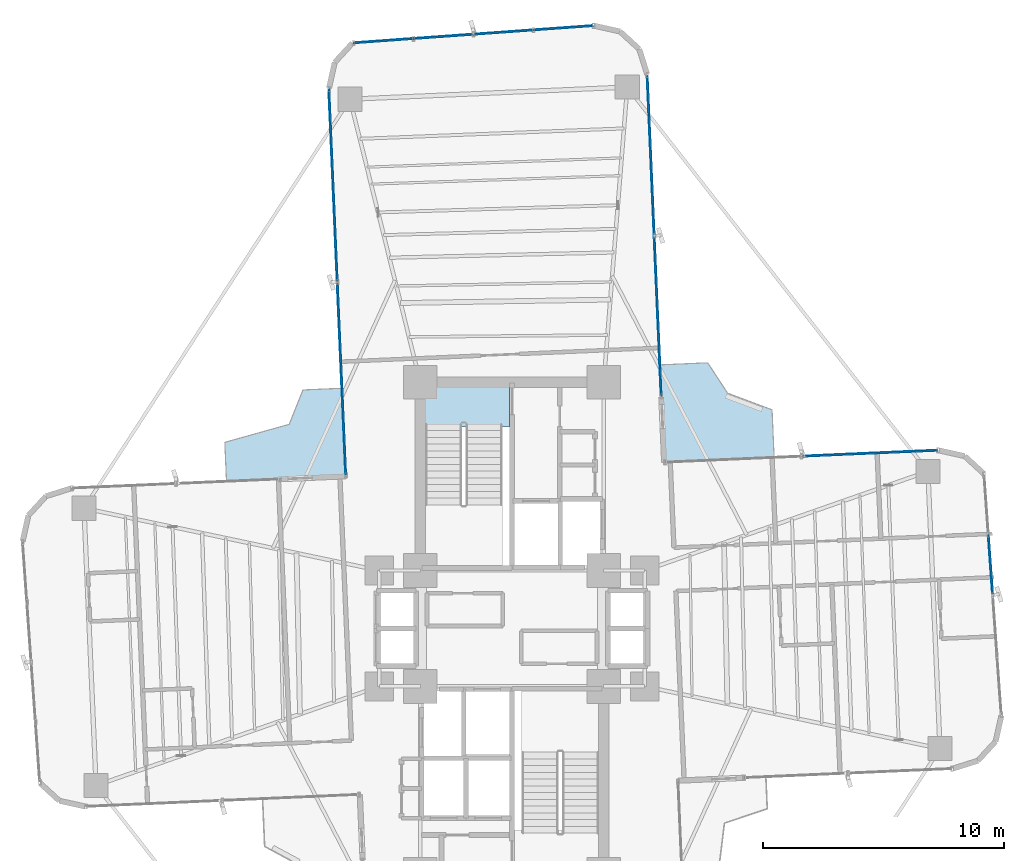
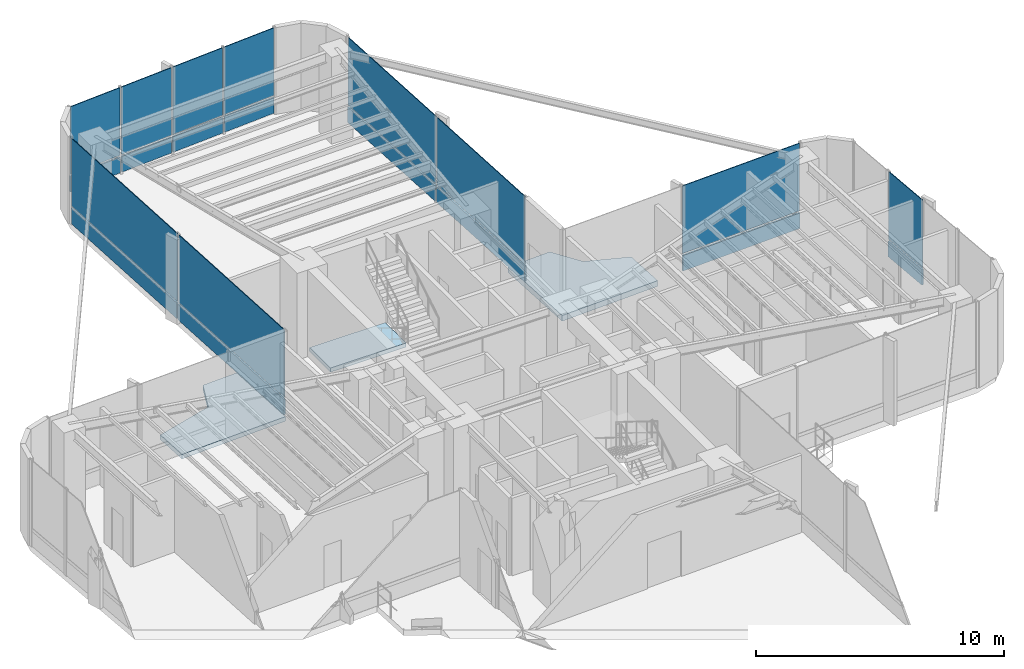
# One storey, part 16 of 23: 20 plates, 3 slabs, 5 elements without a shape of their own.
"""IFC4 building model written with IfcOpenShell, lengths in metres."""

from ifc_helpers import new_model, si_unit, direction, frame, origin, origin_2d, place, context, subcontext, project, spatial, polyline, rectangle, outline, extrude, source, transform, mapped, material, layer, layer_set, type_object, element, aggregate, save


model = new_model("IFC4")

# Units and contexts
model_context = context("Model", 3, precision=1e-05, world=origin(), true_north=direction((0.0, 1.0)))
body_context = subcontext(model_context, "Body", "Model", "MODEL_VIEW")
ifc_project = project(units=[si_unit("LENGTHUNIT", "METRE"), si_unit("AREAUNIT", "SQUARE_METRE"), si_unit("VOLUMEUNIT", "CUBIC_METRE"), si_unit("PLANEANGLEUNIT", "RADIAN"), si_unit("MASSUNIT", "GRAM", prefix="KILO")], contexts=[model_context])

# Site, building, storey
site_placement = place(None, origin())
site = spatial("IfcSite", under=ifc_project, at=site_placement, CompositionType="ELEMENT")
building_placement = place(site_placement, origin())
building = spatial("IfcBuilding", under=site, at=building_placement, Name="Sahyath Konkavel Grand Hotel", CompositionType="ELEMENT")
storey_placement = place(building_placement, frame((0.0, 0.0, 106.949951171875)))
storey = spatial("IfcBuildingStorey", under=building, at=storey_placement, Name="L29", CompositionType="ELEMENT", Elevation=106.949951171875)

# Slabs
ifc_material_1 = material(Name="Concrete C40/50", Category="concrete")
ifc_layer_1 = layer(ifc_material_1, 0.219970703125)
ifc_layer_set_1 = layer_set([ifc_layer_1], Name="Concrete C40/50")
slab_type_1 = type_object("IfcSlabType", Name="SLB-BALCONY-220", PredefinedType="FLOOR", material=ifc_layer_set_1)
slab_1_placement = place(storey_placement, frame((0.0, 0.0, -0.219970703125)))
element("IfcSlab", 1, at=slab_1_placement, inside=storey, type_object=slab_type_1, Name="L29 Winter-Garden Balcony NW", PredefinedType="FLOOR", context=body_context, shape_type="SweptSolid", body=[
    extrude(outline(polyline([(-6.881591796875, 6.305908203125), (-7.040771484375, 9.951416015625), (-8.66064453125, 9.880615234375), (-9.229736328125, 8.45751953125), (-11.898681640625, 7.709716796875), (-11.827880859375, 6.08984375), (-6.881591796875, 6.305908203125)])), origin(), (0.0, 0.0, 1.0), 0.219970703125),
])
ifc_layer_2 = layer(ifc_material_1, 0.280029296875)
ifc_layer_set_2 = layer_set([ifc_layer_2], Name="Concrete C40/50")
slab_type_2 = type_object("IfcSlabType", Name="SLB-SKYGARDEN-280", PredefinedType="ROOF", material=ifc_layer_set_2)
slab_2_placement = place(storey_placement, frame((0.0, 0.0, -0.280029296875)))
element("IfcSlab", 2, at=slab_2_placement, inside=storey, type_object=slab_type_2, Name="L29 Planted Sky Garden Terrace NE", PredefinedType="ROOF", context=body_context, shape_type="SweptSolid", body=[
    extrude(outline(polyline([(6.305908203125, 6.881591796875), (10.859619140625, 7.080322265625), (10.773193359375, 9.05859375), (8.933349609375, 9.748779296875), (8.107666015625, 11.006103515625), (6.12939453125, 10.919921875), (6.305908203125, 6.881591796875)])), origin(), (0.0, 0.0, 1.0), 0.280029296875),
])
ifc_layer_3 = layer(ifc_material_1, 0.199951171875)
ifc_layer_set_3 = layer_set([ifc_layer_3], Name="Concrete C40/50")
slab_type_3 = type_object("IfcSlabType", Name="SLB-STAIR-LND", PredefinedType="LANDING", material=ifc_layer_set_3)
slab_3_placement = place(storey_placement, frame((0.0, 0.0, -0.199951171875)))
element("IfcSlab", 3, at=slab_3_placement, inside=storey, type_object=slab_type_3, Name="L29 Stair ST-1 Floor Landing Slab", PredefinedType="LANDING", context=body_context, shape_type="SweptSolid", body=[
    extrude(outline(polyline([(-3.6201171875, 8.35009765625), (-0.10009765625, 8.35009765625), (-0.10009765625, 10.02001953125), (-3.6201171875, 10.02001953125), (-3.6201171875, 8.35009765625)])), origin(), (0.0, 0.0, 1.0), 0.199951171875),
])

# Curtain wall, plate
ifc_material_2 = material(Name="Anodised Bronze Aluminium & Low-E Glazing", Category="aluminium")
curtain_wall_type = type_object("IfcCurtainWallType", Name="CW-SKYLOBBY", PredefinedType="NOTDEFINED", material=ifc_material_2)
curtain_wall_1_placement = place(storey_placement, origin())
curtain_wall_1 = element("IfcCurtainWall", 4, at=curtain_wall_1_placement, inside=storey, type_object=curtain_wall_type, Name="L29 Unitised Curtain Wall F4", PredefinedType="NOTDEFINED")
ifc_material_3 = material(Name="Warm Buff Sandstone Cladding", Category="masonry")
ifc_layer_4 = layer(ifc_material_3, 0.074951171875)
ifc_layer_set_4 = layer_set([ifc_layer_4], Name="Warm Buff Sandstone Cladding")
plate_type_1 = type_object("IfcPlateType", Name="PNL-SPANDREL-STONE", PredefinedType="SHEET", material=ifc_layer_set_4)
shared_shape_1 = source(origin(), body_context, "Body", "SweptSolid", [
    extrude(rectangle(XDim=2.41357421875, YDim=0.074951171875, at=origin_2d()), origin(), (0.0, 0.0, 1.0), 0.77001953125),
])
plate_1_placement = place(storey_placement, frame((19.828369140625, 2.638671875, 0.0400390625), z_axis=(0.0, 0.0, 1.0), x_axis=(-0.071567078661, 0.997435789037, 0.0)))
plate_1 = element("IfcPlate", 5, at=plate_1_placement, type_object=plate_type_1, Name="L29 Sandstone Relief Spandrel Panel F4-2", PredefinedType="SHEET", context=body_context, shape_type="MappedRepresentation", body=[
    mapped(shared_shape_1, transform((0.0, 0.0, 0.0), scale=1.0)),
])

# Curtain wall, plates
curtain_wall_2_placement = place(storey_placement, origin())
curtain_wall_2 = element("IfcCurtainWall", 6, at=curtain_wall_2_placement, inside=storey, type_object=curtain_wall_type, Name="L29 Unitised Curtain Wall F12", PredefinedType="NOTDEFINED")
plate_2_placement = place(storey_placement, frame((2.130615234375, 24.880615234375, 0.0400390625), z_axis=(0.0, 0.0, 1.0), x_axis=(-0.997435789037, -0.071567078661, 0.0)))
plate_2 = element("IfcPlate", 7, at=plate_2_placement, type_object=plate_type_1, Name="L29 Sandstone Relief Spandrel Panel F12-0", PredefinedType="SHEET", context=body_context, shape_type="MappedRepresentation", body=[
    mapped(shared_shape_1, transform((0.0, 0.0, 0.0), scale=1.0)),
])
plate_3_placement = place(storey_placement, frame((-0.356689453125, 24.7021484375, 0.0400390625), z_axis=(0.0, 0.0, 1.0), x_axis=(-0.997435789037, -0.071567078661, 0.0)))
plate_3 = element("IfcPlate", 8, at=plate_3_placement, type_object=plate_type_1, Name="L29 Sandstone Relief Spandrel Panel F12-1", PredefinedType="SHEET", context=body_context, shape_type="MappedRepresentation", body=[
    mapped(shared_shape_1, transform((0.0, 0.0, 0.0), scale=1.0)),
])
plate_4_placement = place(storey_placement, frame((-2.84375, 24.523681640625, 0.0400390625), z_axis=(0.0, 0.0, 1.0), x_axis=(-0.997435789037, -0.071567078661, 0.0)))
plate_4 = element("IfcPlate", 9, at=plate_4_placement, type_object=plate_type_1, Name="L29 Sandstone Relief Spandrel Panel F12-2", PredefinedType="SHEET", context=body_context, shape_type="MappedRepresentation", body=[
    mapped(shared_shape_1, transform((0.0, 0.0, 0.0), scale=1.0)),
])
plate_5_placement = place(storey_placement, frame((-5.330810546875, 24.34521484375, 0.0400390625), z_axis=(0.0, 0.0, 1.0), x_axis=(-0.997435789037, -0.071567078661, 0.0)))
plate_5 = element("IfcPlate", 10, at=plate_5_placement, type_object=plate_type_1, Name="L29 Sandstone Relief Spandrel Panel F12-3", PredefinedType="SHEET", context=body_context, shape_type="MappedRepresentation", body=[
    mapped(shared_shape_1, transform((0.0, 0.0, 0.0), scale=1.0)),
])

# Plate
ifc_material_4 = material(Name="Low-E Solar Control Double Glazing", Category="glass")
ifc_layer_5 = layer(ifc_material_4, 0.035888671875)
ifc_layer_set_5 = layer_set([ifc_layer_5], Name="Low-E Solar Control Double Glazing")
plate_type_2 = type_object("IfcPlateType", Name="PNL-VISION-LOWE", PredefinedType="CURTAIN_PANEL", material=ifc_layer_set_5)
shared_shape_2 = source(origin(), body_context, "Body", "SweptSolid", [
    extrude(rectangle(XDim=2.41357421875, YDim=0.035888671875, at=origin_2d()), origin(), (0.0, 0.0, 1.0), 3.330078125),
])
plate_6_placement = place(storey_placement, frame((19.828369140625, 2.638671875, 0.889892578125), z_axis=(0.0, 0.0, 1.0), x_axis=(-0.071567078661, 0.997435789037, 0.0)))
plate_6 = element("IfcPlate", 11, at=plate_6_placement, type_object=plate_type_2, Name="L29 Low-E Vision Glazing Panel F4-2", PredefinedType="CURTAIN_PANEL", context=body_context, shape_type="MappedRepresentation", body=[
    mapped(shared_shape_2, transform((0.0, 0.0, 0.0), scale=1.0)),
])

aggregate(curtain_wall_1, [plate_1, plate_6])

plate_7_placement = place(storey_placement, frame((2.130615234375, 24.880615234375, 0.889892578125), z_axis=(0.0, 0.0, 1.0), x_axis=(-0.997435789037, -0.071567078661, 0.0)))
plate_7 = element("IfcPlate", 12, at=plate_7_placement, type_object=plate_type_2, Name="L29 Low-E Vision Glazing Panel F12-0", PredefinedType="CURTAIN_PANEL", context=body_context, shape_type="MappedRepresentation", body=[
    mapped(shared_shape_2, transform((0.0, 0.0, 0.0), scale=1.0)),
])

plate_8_placement = place(storey_placement, frame((-0.356689453125, 24.7021484375, 0.889892578125), z_axis=(0.0, 0.0, 1.0), x_axis=(-0.997435789037, -0.071567078661, 0.0)))
plate_8 = element("IfcPlate", 13, at=plate_8_placement, type_object=plate_type_2, Name="L29 Low-E Vision Glazing Panel F12-1", PredefinedType="CURTAIN_PANEL", context=body_context, shape_type="MappedRepresentation", body=[
    mapped(shared_shape_2, transform((0.0, 0.0, 0.0), scale=1.0)),
])

plate_9_placement = place(storey_placement, frame((-2.84375, 24.523681640625, 0.889892578125), z_axis=(0.0, 0.0, 1.0), x_axis=(-0.997435789037, -0.071567078661, 0.0)))
plate_9 = element("IfcPlate", 14, at=plate_9_placement, type_object=plate_type_2, Name="L29 Low-E Vision Glazing Panel F12-2", PredefinedType="CURTAIN_PANEL", context=body_context, shape_type="MappedRepresentation", body=[
    mapped(shared_shape_2, transform((0.0, 0.0, 0.0), scale=1.0)),
])

plate_10_placement = place(storey_placement, frame((-5.330810546875, 24.34521484375, 0.889892578125), z_axis=(0.0, 0.0, 1.0), x_axis=(-0.997435789037, -0.071567078661, 0.0)))
plate_10 = element("IfcPlate", 15, at=plate_10_placement, type_object=plate_type_2, Name="L29 Low-E Vision Glazing Panel F12-3", PredefinedType="CURTAIN_PANEL", context=body_context, shape_type="MappedRepresentation", body=[
    mapped(shared_shape_2, transform((0.0, 0.0, 0.0), scale=1.0)),
])

aggregate(curtain_wall_2, [plate_2, plate_7, plate_3, plate_8, plate_4, plate_9, plate_5, plate_10])

# Curtain wall, plates
curtain_wall_3_placement = place(storey_placement, origin())
curtain_wall_3 = element("IfcCurtainWall", 16, at=curtain_wall_3_placement, inside=storey, type_object=curtain_wall_type, Name="L29 Unitised Curtain Wall F7", PredefinedType="NOTDEFINED")
shared_shape_3 = source(origin(), body_context, "Body", "SweptSolid", [
    extrude(rectangle(XDim=5.580078125, YDim=0.074951171875, at=origin_2d()), origin(), (0.0, 0.0, 1.0), 0.77001953125),
])
plate_11_placement = place(storey_placement, frame((14.82763671875, 7.25390625, 0.0400390625), z_axis=(0.0, 0.0, 1.0), x_axis=(-0.999048221582, -0.043619387365, 0.0)))
plate_11 = element("IfcPlate", 17, at=plate_11_placement, type_object=plate_type_1, Name="L29 Sandstone Relief Spandrel Panel F7-0", PredefinedType="SHEET", context=body_context, shape_type="MappedRepresentation", body=[
    mapped(shared_shape_3, transform((0.0, 0.0, 0.0), scale=1.0)),
])
shared_shape_4 = source(origin(), body_context, "Body", "SweptSolid", [
    extrude(rectangle(XDim=5.580078125, YDim=0.035888671875, at=origin_2d()), origin(), (0.0, 0.0, 1.0), 3.330078125),
])
plate_12_placement = place(storey_placement, frame((14.82763671875, 7.25390625, 0.889892578125), z_axis=(0.0, 0.0, 1.0), x_axis=(-0.999048221582, -0.043619387365, 0.0)))
plate_12 = element("IfcPlate", 18, at=plate_12_placement, type_object=plate_type_2, Name="L29 Low-E Vision Glazing Panel F7-0", PredefinedType="CURTAIN_PANEL", context=body_context, shape_type="MappedRepresentation", body=[
    mapped(shared_shape_4, transform((0.0, 0.0, 0.0), scale=1.0)),
])
aggregate(curtain_wall_3, [plate_11, plate_12])

curtain_wall_4_placement = place(storey_placement, origin())
curtain_wall_4 = element("IfcCurtainWall", 19, at=curtain_wall_4_placement, inside=storey, type_object=curtain_wall_type, Name="L29 Unitised Curtain Wall F8", PredefinedType="NOTDEFINED")
shared_shape_5 = source(origin(), body_context, "Body", "SweptSolid", [
    extrude(rectangle(XDim=6.580078125, YDim=0.074951171875, at=origin_2d()), origin(), (0.0, 0.0, 1.0), 0.77001953125),
])
plate_13_placement = place(storey_placement, frame((6.041015625, 12.94580078125, 0.0400390625), z_axis=(0.0, 0.0, 1.0), x_axis=(-0.043619387365, 0.999048221582, 0.0)))
plate_13 = element("IfcPlate", 20, at=plate_13_placement, type_object=plate_type_1, Name="L29 Sandstone Relief Spandrel Panel F8-0", PredefinedType="SHEET", context=body_context, shape_type="MappedRepresentation", body=[
    mapped(shared_shape_5, transform((0.0, 0.0, 0.0), scale=1.0)),
])
plate_14_placement = place(storey_placement, frame((5.75048828125, 19.599609375, 0.0400390625), z_axis=(0.0, 0.0, 1.0), x_axis=(-0.043619387365, 0.999048221582, 0.0)))
plate_14 = element("IfcPlate", 21, at=plate_14_placement, type_object=plate_type_1, Name="L29 Sandstone Relief Spandrel Panel F8-1", PredefinedType="SHEET", context=body_context, shape_type="MappedRepresentation", body=[
    mapped(shared_shape_5, transform((0.0, 0.0, 0.0), scale=1.0)),
])
shared_shape_6 = source(origin(), body_context, "Body", "SweptSolid", [
    extrude(rectangle(XDim=6.580078125, YDim=0.035888671875, at=origin_2d()), origin(), (0.0, 0.0, 1.0), 3.330078125),
])
plate_15_placement = place(storey_placement, frame((6.041015625, 12.94580078125, 0.889892578125), z_axis=(0.0, 0.0, 1.0), x_axis=(-0.043619387365, 0.999048221582, 0.0)))
plate_15 = element("IfcPlate", 22, at=plate_15_placement, type_object=plate_type_2, Name="L29 Low-E Vision Glazing Panel F8-0", PredefinedType="CURTAIN_PANEL", context=body_context, shape_type="MappedRepresentation", body=[
    mapped(shared_shape_6, transform((0.0, 0.0, 0.0), scale=1.0)),
])
plate_16_placement = place(storey_placement, frame((5.75048828125, 19.599609375, 0.889892578125), z_axis=(0.0, 0.0, 1.0), x_axis=(-0.043619387365, 0.999048221582, 0.0)))
plate_16 = element("IfcPlate", 23, at=plate_16_placement, type_object=plate_type_2, Name="L29 Low-E Vision Glazing Panel F8-1", PredefinedType="CURTAIN_PANEL", context=body_context, shape_type="MappedRepresentation", body=[
    mapped(shared_shape_6, transform((0.0, 0.0, 0.0), scale=1.0)),
])
aggregate(curtain_wall_4, [plate_13, plate_15, plate_14, plate_16])

curtain_wall_5_placement = place(storey_placement, origin())
curtain_wall_5 = element("IfcCurtainWall", 24, at=curtain_wall_5_placement, inside=storey, type_object=curtain_wall_type, Name="L29 Unitised Curtain Wall F15", PredefinedType="NOTDEFINED")
shared_shape_7 = source(origin(), body_context, "Body", "SweptSolid", [
    extrude(rectangle(XDim=7.929931640625, YDim=0.074951171875, at=origin_2d()), origin(), (0.0, 0.0, 1.0), 0.77001953125),
])
plate_17_placement = place(storey_placement, frame((-7.407470703125, 18.349365234375, 0.0400390625), z_axis=(0.0, 0.0, 1.0), x_axis=(0.043619387365, -0.999048221582, 0.0)))
plate_17 = element("IfcPlate", 25, at=plate_17_placement, type_object=plate_type_1, Name="L29 Sandstone Relief Spandrel Panel F15-0", PredefinedType="SHEET", context=body_context, shape_type="MappedRepresentation", body=[
    mapped(shared_shape_7, transform((0.0, 0.0, 0.0), scale=1.0)),
])
plate_18_placement = place(storey_placement, frame((-7.05810546875, 10.346923828125, 0.0400390625), z_axis=(0.0, 0.0, 1.0), x_axis=(0.043619387365, -0.999048221582, 0.0)))
plate_18 = element("IfcPlate", 26, at=plate_18_placement, type_object=plate_type_1, Name="L29 Sandstone Relief Spandrel Panel F15-1", PredefinedType="SHEET", context=body_context, shape_type="MappedRepresentation", body=[
    mapped(shared_shape_7, transform((0.0, 0.0, 0.0), scale=1.0)),
])
shared_shape_8 = source(origin(), body_context, "Body", "SweptSolid", [
    extrude(rectangle(XDim=7.929931640625, YDim=0.035888671875, at=origin_2d()), origin(), (0.0, 0.0, 1.0), 3.330078125),
])
plate_19_placement = place(storey_placement, frame((-7.407470703125, 18.349365234375, 0.889892578125), z_axis=(0.0, 0.0, 1.0), x_axis=(0.043619387365, -0.999048221582, 0.0)))
plate_19 = element("IfcPlate", 27, at=plate_19_placement, type_object=plate_type_2, Name="L29 Low-E Vision Glazing Panel F15-0", PredefinedType="CURTAIN_PANEL", context=body_context, shape_type="MappedRepresentation", body=[
    mapped(shared_shape_8, transform((0.0, 0.0, 0.0), scale=1.0)),
])
plate_20_placement = place(storey_placement, frame((-7.05810546875, 10.346923828125, 0.889892578125), z_axis=(0.0, 0.0, 1.0), x_axis=(0.043619387365, -0.999048221582, 0.0)))
plate_20 = element("IfcPlate", 28, at=plate_20_placement, type_object=plate_type_2, Name="L29 Low-E Vision Glazing Panel F15-1", PredefinedType="CURTAIN_PANEL", context=body_context, shape_type="MappedRepresentation", body=[
    mapped(shared_shape_8, transform((0.0, 0.0, 0.0), scale=1.0)),
])
aggregate(curtain_wall_5, [plate_17, plate_19, plate_18, plate_20])

save(model, "model.ifc")
